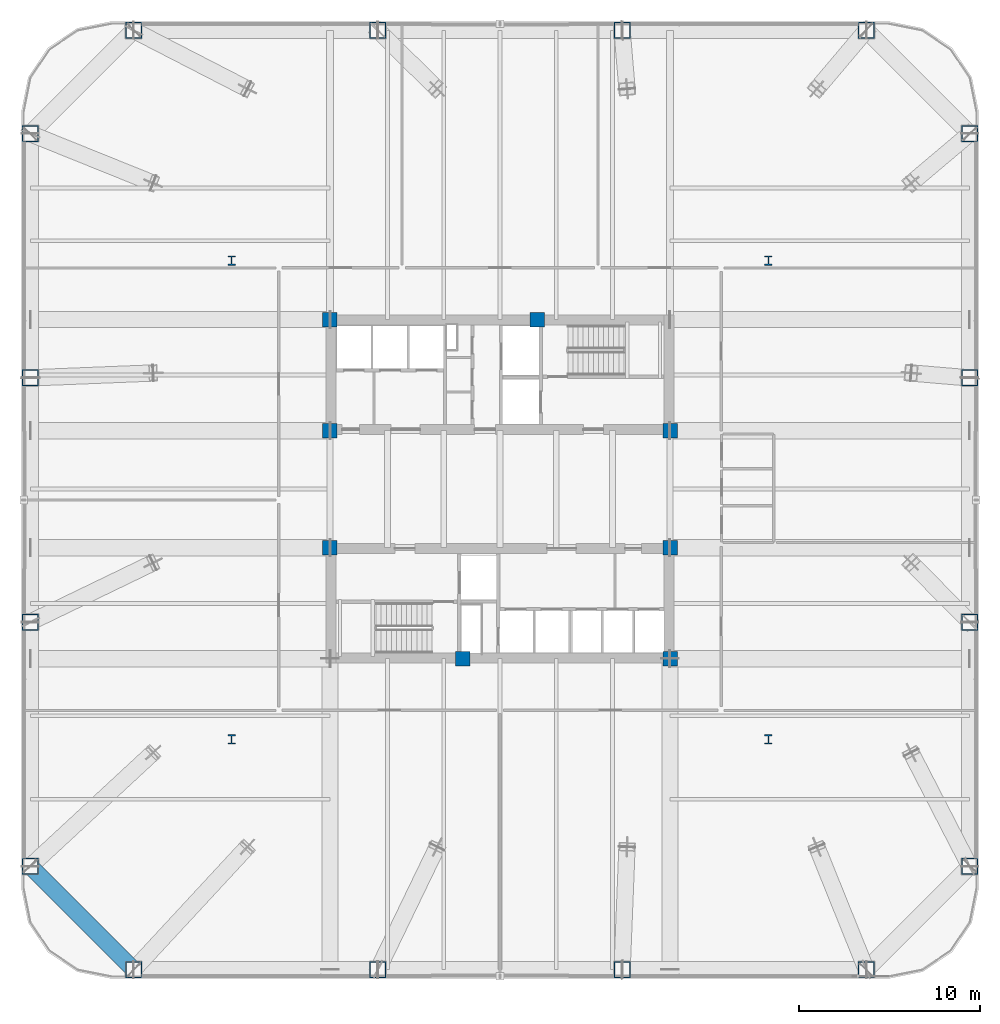
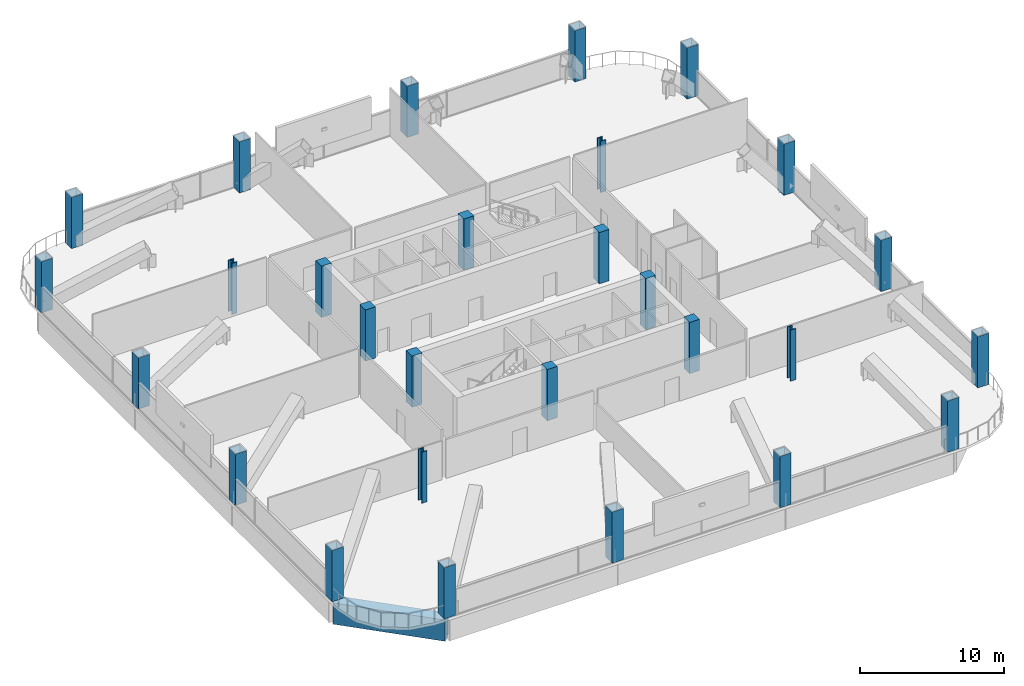
# One storey, part 1 of 38: 28 columns, 1 beam.
"""IFC4 building model written with IfcOpenShell, lengths in metres."""

from ifc_helpers import new_model, si_unit, direction, frame, origin, origin_2d, place, context, subcontext, project, spatial, rectangle, hollow_rectangle, i_section, extrude, material, material_profile, profile_set, type_object, element, save


model = new_model("IFC4")

# Units and contexts
model_context = context("Model", 3, precision=1e-05, world=origin(), true_north=direction((0.0, 1.0)))
body_context = subcontext(model_context, "Body", "Model", "MODEL_VIEW")
ifc_project = project(units=[si_unit("LENGTHUNIT", "METRE"), si_unit("AREAUNIT", "SQUARE_METRE"), si_unit("VOLUMEUNIT", "CUBIC_METRE"), si_unit("PLANEANGLEUNIT", "RADIAN"), si_unit("MASSUNIT", "GRAM", prefix="KILO")], contexts=[model_context])

# Site, building, storey
site_placement = place(None, origin())
site = spatial("IfcSite", under=ifc_project, at=site_placement, CompositionType="ELEMENT")
building_placement = place(site_placement, origin())
building = spatial("IfcBuilding", under=site, at=building_placement, Name="Qhalaya Broadcast Tower", CompositionType="ELEMENT")
storey_placement = place(building_placement, frame((0.0, 0.0, 53.550048828125)))
storey = spatial("IfcBuildingStorey", under=building, at=storey_placement, Name="L15", CompositionType="ELEMENT", Elevation=53.550048828125)

# Columns
ifc_material_1 = material(Name="Concrete C50/60", Category="concrete")
ifc_material_profile_1 = material_profile(ifc_material_1, rectangle(XDim=0.800048828125, YDim=0.800048828125, at=origin_2d()), Name="RC-COL 800x800")
ifc_profile_set_1 = profile_set([ifc_material_profile_1], Name="Concrete C50/60")
column_type_1 = type_object("IfcColumnType", Name="RC Upper Column C10", PredefinedType="COLUMN", material=ifc_profile_set_1)
for number, where, z_axis, x_axis, name in (
    (1, (-9.375, 9.949951171875, 0.0), (0.0, 0.0, 1.0), (1.0, 0.0, 0.0), "L15 Column COL-CC1"),
    (2, (2.050048828125, 9.949951171875, 0.0), (0.0, 0.0, 1.0), (1.0, 0.0, 0.0), "L15 Column COL-CC2"),
    (3, (-9.375, 3.824951171875, 0.0), (0.0, 0.0, 1.0), (1.0, 0.0, 0.0), "L15 Column COL-CC3"),
    (4, (9.375, 3.824951171875, 0.0), (0.0, 0.0, 1.0), (1.0, 0.0, 0.0), "L15 Column COL-CC4"),
    (5, (-9.375, -2.625, 0.0), (0.0, 0.0, 1.0), (1.0, 0.0, 0.0), "L15 Column COL-CC5"),
    (6, (9.375, -2.625, 0.0), (0.0, 0.0, 1.0), (1.0, 0.0, 0.0), "L15 Column COL-CC6"),
    (7, (-2.050048828125, -8.75, 0.0), (0.0, 0.0, 1.0), (1.0, 0.0, 0.0), "L15 Column COL-CC7"),
    (8, (9.375, -8.75, 0.0), (0.0, 0.0, 1.0), (1.0, 0.0, 0.0), "L15 Column COL-CC8"),
):
    element("IfcColumn", number, at=place(storey_placement, frame(where, z_axis=z_axis, x_axis=x_axis)), inside=storey, type_object=column_type_1, Name=name, PredefinedType="COLUMN", context=body_context, shape_type="SweptSolid", body=[
        extrude(rectangle(XDim=0.800048828125, YDim=0.800048828125, at=origin_2d()), origin(), (0.0, 0.0, 1.0), 4.349853515625),
    ])
ifc_material_2 = material(Name="Structural Steel ASTM A992 Grade 50", Category="steel")
ifc_material_profile_2 = material_profile(ifc_material_2, i_section(OverallWidth=0.41796875, OverallDepth=0.510009765625, WebThickness=0.0419921875, FlangeThickness=0.067626953125, at=origin_2d()), Name="W14X370")
ifc_profile_set_2 = profile_set([ifc_material_profile_2], Name="Structural Steel ASTM A992 Grade 50")
column_type_2 = type_object("IfcColumnType", Name="Rolled Gravity Column C06", PredefinedType="COLUMN", material=ifc_profile_set_2)
for number, where, z_axis, x_axis, name in (
    (9, (-14.800048828125, -13.199951171875, 0.0), (0.0, 0.0, 1.0), (1.0, 0.0, 0.0), "L15 Column COL-GR1"),
    (10, (14.800048828125, -13.199951171875, 0.0), (0.0, 0.0, 1.0), (1.0, 0.0, 0.0), "L15 Column COL-GR2"),
    (11, (-14.800048828125, 13.199951171875, 0.0), (0.0, 0.0, 1.0), (1.0, 0.0, 0.0), "L15 Column COL-GR3"),
    (12, (14.800048828125, 13.199951171875, 0.0), (0.0, 0.0, 1.0), (1.0, 0.0, 0.0), "L15 Column COL-GR4"),
):
    element("IfcColumn", number, at=place(storey_placement, frame(where, z_axis=z_axis, x_axis=x_axis)), inside=storey, type_object=column_type_2, Name=name, PredefinedType="COLUMN", context=body_context, shape_type="SweptSolid", body=[
        extrude(i_section(OverallWidth=0.41796875, OverallDepth=0.510009765625, WebThickness=0.0419921875, FlangeThickness=0.067626953125, at=origin_2d()), origin(), (0.0, 0.0, 1.0), 4.349853515625),
    ])
ifc_material_3 = material(Name="Structural Steel ASTM A572 Grade 50", Category="steel")
ifc_material_profile_3 = material_profile(ifc_material_3, hollow_rectangle(XDim=0.89990234375, YDim=0.89990234375, WallThickness=0.054931640625, at=origin_2d()), Name="BOX 900x900x55")
ifc_profile_set_3 = profile_set([ifc_material_profile_3], Name="Structural Steel ASTM A572 Grade 50")
column_type_3 = type_object("IfcColumnType", Name="Steel Box Column C02", PredefinedType="COLUMN", material=ifc_profile_set_3)
for number, where, z_axis, x_axis, name in (
    (13, (-20.199951171875, -25.89990234375, 0.0), (0.0, 0.0, 1.0), (1.0, 0.0, 0.0), "L15 Column COL-EX01"),
    (14, (-6.7333984375, -25.89990234375, 0.0), (0.0, 0.0, 1.0), (1.0, 0.0, 0.0), "L15 Column COL-EX02"),
    (15, (6.7333984375, -25.89990234375, 0.0), (0.0, 0.0, 1.0), (1.0, 0.0, 0.0), "L15 Column COL-EX03"),
    (16, (20.199951171875, -25.89990234375, 0.0), (0.0, 0.0, 1.0), (1.0, 0.0, 0.0), "L15 Column COL-EX04"),
    (17, (25.89990234375, -20.199951171875, 0.0), (0.0, 0.0, 1.0), (0.0, 1.0, 0.0), "L15 Column COL-EX05"),
    (18, (25.89990234375, -6.7333984375, 0.0), (0.0, 0.0, 1.0), (0.0, 1.0, 0.0), "L15 Column COL-EX06"),
    (19, (25.89990234375, 6.7333984375, 0.0), (0.0, 0.0, 1.0), (0.0, 1.0, 0.0), "L15 Column COL-EX07"),
    (20, (25.89990234375, 20.199951171875, 0.0), (0.0, 0.0, 1.0), (0.0, 1.0, 0.0), "L15 Column COL-EX08"),
    (21, (20.199951171875, 25.89990234375, 0.0), (0.0, 0.0, 1.0), (1.0, 0.0, 0.0), "L15 Column COL-EX09"),
    (22, (6.7333984375, 25.89990234375, 0.0), (0.0, 0.0, 1.0), (1.0, 0.0, 0.0), "L15 Column COL-EX10"),
    (23, (-6.7333984375, 25.89990234375, 0.0), (0.0, 0.0, 1.0), (1.0, 0.0, 0.0), "L15 Column COL-EX11"),
    (24, (-20.199951171875, 25.89990234375, 0.0), (0.0, 0.0, 1.0), (1.0, 0.0, 0.0), "L15 Column COL-EX12"),
    (25, (-25.89990234375, 20.199951171875, 0.0), (0.0, 0.0, 1.0), (0.0, 1.0, 0.0), "L15 Column COL-EX13"),
    (26, (-25.89990234375, 6.7333984375, 0.0), (0.0, 0.0, 1.0), (0.0, 1.0, 0.0), "L15 Column COL-EX14"),
    (27, (-25.89990234375, -6.7333984375, 0.0), (0.0, 0.0, 1.0), (0.0, 1.0, 0.0), "L15 Column COL-EX15"),
    (28, (-25.89990234375, -20.199951171875, 0.0), (0.0, 0.0, 1.0), (0.0, 1.0, 0.0), "L15 Column COL-EX16"),
):
    element("IfcColumn", number, at=place(storey_placement, frame(where, z_axis=z_axis, x_axis=x_axis)), inside=storey, type_object=column_type_3, Name=name, PredefinedType="COLUMN", context=body_context, shape_type="SweptSolid", body=[
        extrude(hollow_rectangle(XDim=0.89990234375, YDim=0.89990234375, WallThickness=0.054931640625, at=origin_2d()), origin(), (0.0, 0.0, 1.0), 4.349853515625),
    ])

# Beam
ifc_material_profile_4 = material_profile(ifc_material_3, hollow_rectangle(XDim=0.89990234375, YDim=1.800048828125, WallThickness=0.06005859375, at=origin_2d()), Name="BOX 900x1800x60")
ifc_profile_set_4 = profile_set([ifc_material_profile_4], Name="Structural Steel ASTM A572 Grade 50")
beam_type = type_object("IfcBeamType", Name="Block Cantilever Transfer Box Girder TG1", PredefinedType="USERDEFINED", material=ifc_profile_set_4)
beam_placement = place(storey_placement, frame((-25.89990234375, -20.199951171875, -1.1201171875), z_axis=(0.707106781187, -0.707106781187, 0.0), x_axis=(0.707106781187, 0.707106781187, 0.0)))
element("IfcBeam", 29, at=beam_placement, inside=storey, type_object=beam_type, Name="L15 TG1 L15-SPR-16", ObjectType="GIRDER", PredefinedType="USERDEFINED", context=body_context, shape_type="SweptSolid", body=[
    extrude(hollow_rectangle(XDim=0.89990234375, YDim=1.800048828125, WallThickness=0.06005859375, at=origin_2d()), origin(), (0.0, 0.0, 1.0), 8.06103515625),
])

save(model, "model.ifc")
